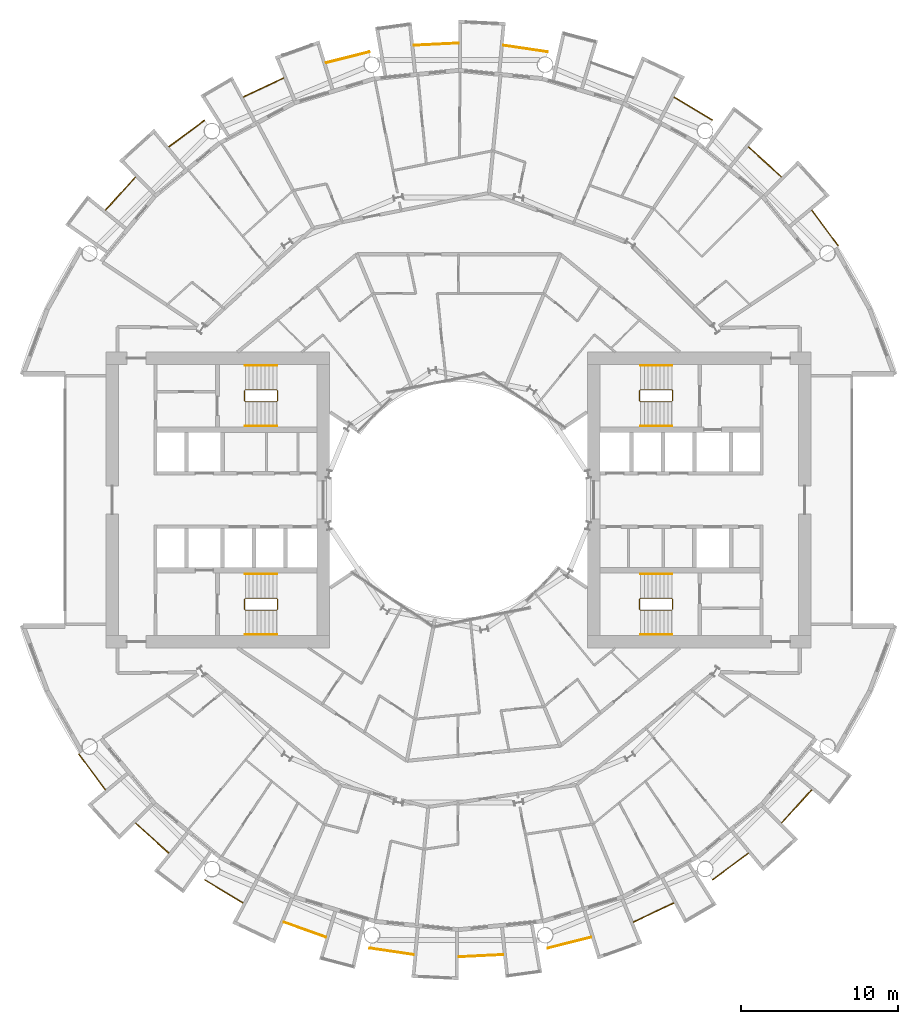
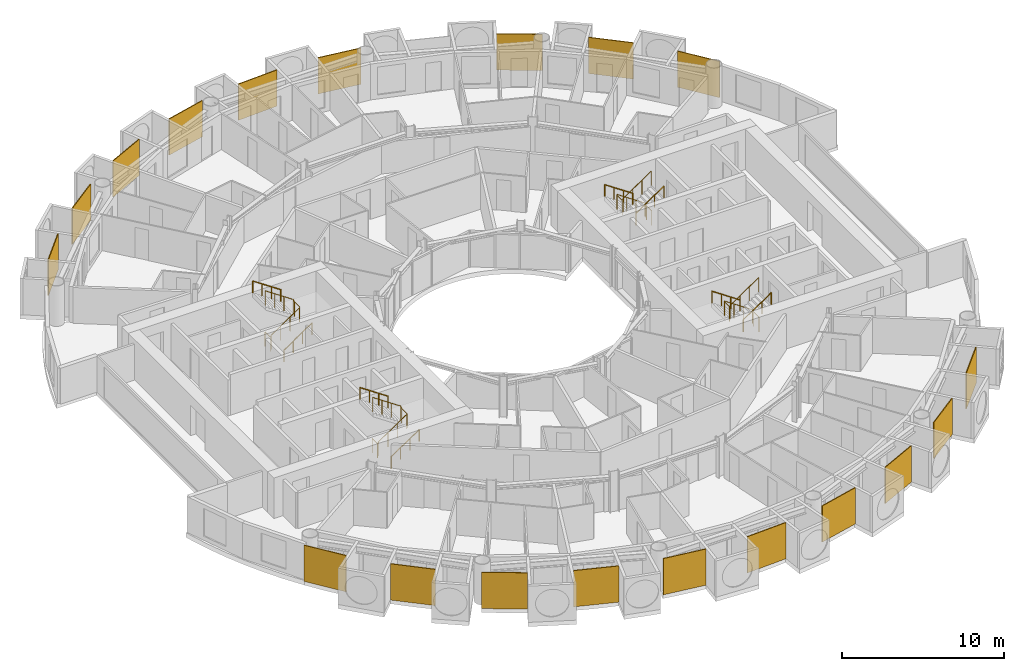
# One storey, part 25 of 26: 31 railings.
"""IFC4 building model written with IfcOpenShell, lengths in metres."""

from ifc_helpers import new_model, si_unit, direction, frame, origin, origin_2d, place, context, subcontext, project, spatial, polyline, circle, outline, extrude, material, layer, layer_set, type_object, element, save


model = new_model("IFC4")

# Units and contexts
model_context = context("Model", 3, precision=1e-05, world=origin(), true_north=direction((0.0, 1.0)))
body_context = subcontext(model_context, "Body", "Model", "MODEL_VIEW")
ifc_project = project(units=[si_unit("LENGTHUNIT", "METRE"), si_unit("AREAUNIT", "SQUARE_METRE"), si_unit("VOLUMEUNIT", "CUBIC_METRE"), si_unit("PLANEANGLEUNIT", "RADIAN"), si_unit("MASSUNIT", "GRAM", prefix="KILO")], contexts=[model_context])

# Site, building, storey
site_placement = place(None, origin())
site = spatial("IfcSite", under=ifc_project, at=site_placement, CompositionType="ELEMENT")
building_placement = place(site_placement, origin())
building = spatial("IfcBuilding", under=site, at=building_placement, Name="Maasbend Ring Residences", CompositionType="ELEMENT")
storey_placement = place(building_placement, frame((0.0, 0.0, 35.0)))
storey = spatial("IfcBuildingStorey", under=building, at=storey_placement, Name="L09", CompositionType="ELEMENT", Elevation=35.0)

# Railings
ifc_material_1 = material(Name="Pale anodised perforated aluminium", Category="aluminium")
ifc_layer = layer(ifc_material_1, 0.06005859375)
ifc_layer_set = layer_set([ifc_layer], Name="SCREEN-P")
railing_type_1 = type_object("IfcRailingType", Name="SCREEN-P", PredefinedType="GUARDRAIL", material=ifc_layer_set)
railing_1_placement = place(storey_placement, frame((0.0, 0.0, -0.030029296875)))
element("IfcRailing", 1, at=railing_1_placement, inside=storey, type_object=railing_type_1, Name="Perforated screen guard 1", PredefinedType="GUARDRAIL", context=body_context, shape_type="SweptSolid", body=[
    extrude(outline(polyline([(24.113037109375, 16.112060546875), (22.4169921875, 18.39697265625), (22.465087890625, 18.43310546875), (24.160888671875, 16.14697265625), (24.113037109375, 16.112060546875)])), origin(), (0.0, 0.0, 1.0), 2.72998046875),
])
railing_2_placement = place(storey_placement, frame((0.0, 0.0, -0.030029296875)))
element("IfcRailing", 2, at=railing_2_placement, inside=storey, type_object=railing_type_1, Name="Perforated screen guard 2", PredefinedType="GUARDRAIL", context=body_context, shape_type="SweptSolid", body=[
    extrude(outline(polyline([(20.506103515625, 20.506103515625), (18.39697265625, 22.4169921875), (18.43798828125, 22.4619140625), (20.5458984375, 20.551025390625), (20.506103515625, 20.506103515625)])), origin(), (0.0, 0.0, 1.0), 2.72998046875),
])
railing_3_placement = place(storey_placement, frame((0.0, 0.0, -0.030029296875)))
element("IfcRailing", 3, at=railing_3_placement, inside=storey, type_object=railing_type_1, Name="Perforated screen guard 3", PredefinedType="GUARDRAIL", context=body_context, shape_type="SweptSolid", body=[
    extrude(outline(polyline([(16.112060546875, 24.113037109375), (13.6708984375, 25.575927734375), (13.700927734375, 25.626953125), (16.14208984375, 24.1640625), (16.112060546875, 24.113037109375)])), origin(), (0.0, 0.0, 1.0), 2.72998046875),
])
railing_4_placement = place(storey_placement, frame((0.0, 0.0, -0.030029296875)))
element("IfcRailing", 4, at=railing_4_placement, inside=storey, type_object=railing_type_1, Name="Perforated screen guard 5", PredefinedType="GUARDRAIL", context=body_context, shape_type="SweptSolid", body=[
    extrude(outline(polyline([(5.657958984375, 28.443115234375), (2.842041015625, 28.860107421875), (2.85107421875, 28.919921875), (5.666015625, 28.501953125), (5.657958984375, 28.443115234375)])), origin(), (0.0, 0.0, 1.0), 2.72998046875),
])
railing_5_placement = place(storey_placement, frame((0.0, 0.0, -0.030029296875)))
element("IfcRailing", 5, at=railing_5_placement, inside=storey, type_object=railing_type_1, Name="Perforated screen guard 6", PredefinedType="GUARDRAIL", context=body_context, shape_type="SweptSolid", body=[
    extrude(outline(polyline([(0.0, 29.0), (-2.842041015625, 28.860107421875), (-2.844970703125, 28.919921875), (-0.0029296875, 29.06005859375), (0.0, 29.0)])), origin(), (0.0, 0.0, 1.0), 2.72998046875),
])
railing_6_placement = place(storey_placement, frame((0.0, 0.0, -0.030029296875)))
element("IfcRailing", 6, at=railing_6_placement, inside=storey, type_object=railing_type_1, Name="Perforated screen guard 7", PredefinedType="GUARDRAIL", context=body_context, shape_type="SweptSolid", body=[
    extrude(outline(polyline([(-5.657958984375, 28.443115234375), (-8.41796875, 27.7509765625), (-8.43310546875, 27.80908203125), (-5.672119140625, 28.5009765625), (-5.657958984375, 28.443115234375)])), origin(), (0.0, 0.0, 1.0), 2.72998046875),
])
railing_7_placement = place(storey_placement, frame((0.0, 0.0, -0.030029296875)))
element("IfcRailing", 7, at=railing_7_placement, inside=storey, type_object=railing_type_1, Name="Perforated screen guard 8", PredefinedType="GUARDRAIL", context=body_context, shape_type="SweptSolid", body=[
    extrude(outline(polyline([(-11.097900390625, 26.79296875), (-13.6708984375, 25.575927734375), (-13.696044921875, 25.6298828125), (-11.123046875, 26.846923828125), (-11.097900390625, 26.79296875)])), origin(), (0.0, 0.0, 1.0), 2.72998046875),
])
railing_8_placement = place(storey_placement, frame((0.0, 0.0, -0.030029296875)))
element("IfcRailing", 8, at=railing_8_placement, inside=storey, type_object=railing_type_1, Name="Perforated screen guard 9", PredefinedType="GUARDRAIL", context=body_context, shape_type="SweptSolid", body=[
    extrude(outline(polyline([(-16.112060546875, 24.113037109375), (-18.39697265625, 22.4169921875), (-18.43310546875, 22.465087890625), (-16.14697265625, 24.160888671875), (-16.112060546875, 24.113037109375)])), origin(), (0.0, 0.0, 1.0), 2.72998046875),
])
railing_9_placement = place(storey_placement, frame((0.0, 0.0, -0.030029296875)))
element("IfcRailing", 9, at=railing_9_placement, inside=storey, type_object=railing_type_1, Name="Perforated screen guard 10", PredefinedType="GUARDRAIL", context=body_context, shape_type="SweptSolid", body=[
    extrude(outline(polyline([(-20.506103515625, 20.506103515625), (-22.4169921875, 18.39697265625), (-22.4619140625, 18.43798828125), (-20.551025390625, 20.5458984375), (-20.506103515625, 20.506103515625)])), origin(), (0.0, 0.0, 1.0), 2.72998046875),
])
railing_10_placement = place(storey_placement, frame((0.0, 0.0, -0.030029296875)))
element("IfcRailing", 10, at=railing_10_placement, inside=storey, type_object=railing_type_1, Name="Perforated screen guard 1", PredefinedType="GUARDRAIL", context=body_context, shape_type="SweptSolid", body=[
    extrude(outline(polyline([(-24.113037109375, -16.112060546875), (-22.4169921875, -18.39697265625), (-22.465087890625, -18.43310546875), (-24.160888671875, -16.14697265625), (-24.113037109375, -16.112060546875)])), origin(), (0.0, 0.0, 1.0), 2.72998046875),
])
railing_11_placement = place(storey_placement, frame((0.0, 0.0, -0.030029296875)))
element("IfcRailing", 11, at=railing_11_placement, inside=storey, type_object=railing_type_1, Name="Perforated screen guard 2", PredefinedType="GUARDRAIL", context=body_context, shape_type="SweptSolid", body=[
    extrude(outline(polyline([(-20.506103515625, -20.506103515625), (-18.39697265625, -22.4169921875), (-18.43798828125, -22.4619140625), (-20.5458984375, -20.551025390625), (-20.506103515625, -20.506103515625)])), origin(), (0.0, 0.0, 1.0), 2.72998046875),
])
railing_12_placement = place(storey_placement, frame((0.0, 0.0, -0.030029296875)))
element("IfcRailing", 12, at=railing_12_placement, inside=storey, type_object=railing_type_1, Name="Perforated screen guard 3", PredefinedType="GUARDRAIL", context=body_context, shape_type="SweptSolid", body=[
    extrude(outline(polyline([(-16.112060546875, -24.113037109375), (-13.6708984375, -25.575927734375), (-13.700927734375, -25.626953125), (-16.14208984375, -24.1640625), (-16.112060546875, -24.113037109375)])), origin(), (0.0, 0.0, 1.0), 2.72998046875),
])
railing_13_placement = place(storey_placement, frame((0.0, 0.0, -0.030029296875)))
element("IfcRailing", 13, at=railing_13_placement, inside=storey, type_object=railing_type_1, Name="Perforated screen guard 4", PredefinedType="GUARDRAIL", context=body_context, shape_type="SweptSolid", body=[
    extrude(outline(polyline([(-11.097900390625, -26.79296875), (-8.41796875, -27.7509765625), (-8.43798828125, -27.80810546875), (-11.117919921875, -26.84912109375), (-11.097900390625, -26.79296875)])), origin(), (0.0, 0.0, 1.0), 2.72998046875),
])
railing_14_placement = place(storey_placement, frame((0.0, 0.0, -0.030029296875)))
element("IfcRailing", 14, at=railing_14_placement, inside=storey, type_object=railing_type_1, Name="Perforated screen guard 5", PredefinedType="GUARDRAIL", context=body_context, shape_type="SweptSolid", body=[
    extrude(outline(polyline([(-5.657958984375, -28.443115234375), (-2.842041015625, -28.860107421875), (-2.85107421875, -28.919921875), (-5.666015625, -28.501953125), (-5.657958984375, -28.443115234375)])), origin(), (0.0, 0.0, 1.0), 2.72998046875),
])
railing_15_placement = place(storey_placement, frame((0.0, 0.0, -0.030029296875)))
element("IfcRailing", 15, at=railing_15_placement, inside=storey, type_object=railing_type_1, Name="Perforated screen guard 6", PredefinedType="GUARDRAIL", context=body_context, shape_type="SweptSolid", body=[
    extrude(outline(polyline([(0.0, -29.0), (2.842041015625, -28.860107421875), (2.844970703125, -28.919921875), (0.0029296875, -29.06005859375), (0.0, -29.0)])), origin(), (0.0, 0.0, 1.0), 2.72998046875),
])
railing_16_placement = place(storey_placement, frame((0.0, 0.0, -0.030029296875)))
element("IfcRailing", 16, at=railing_16_placement, inside=storey, type_object=railing_type_1, Name="Perforated screen guard 7", PredefinedType="GUARDRAIL", context=body_context, shape_type="SweptSolid", body=[
    extrude(outline(polyline([(5.657958984375, -28.443115234375), (8.41796875, -27.7509765625), (8.43310546875, -27.80908203125), (5.672119140625, -28.5009765625), (5.657958984375, -28.443115234375)])), origin(), (0.0, 0.0, 1.0), 2.72998046875),
])
railing_17_placement = place(storey_placement, frame((0.0, 0.0, -0.030029296875)))
element("IfcRailing", 17, at=railing_17_placement, inside=storey, type_object=railing_type_1, Name="Perforated screen guard 8", PredefinedType="GUARDRAIL", context=body_context, shape_type="SweptSolid", body=[
    extrude(outline(polyline([(11.097900390625, -26.79296875), (13.6708984375, -25.575927734375), (13.696044921875, -25.6298828125), (11.123046875, -26.846923828125), (11.097900390625, -26.79296875)])), origin(), (0.0, 0.0, 1.0), 2.72998046875),
])
railing_18_placement = place(storey_placement, frame((0.0, 0.0, -0.030029296875)))
element("IfcRailing", 18, at=railing_18_placement, inside=storey, type_object=railing_type_1, Name="Perforated screen guard 9", PredefinedType="GUARDRAIL", context=body_context, shape_type="SweptSolid", body=[
    extrude(outline(polyline([(16.112060546875, -24.113037109375), (18.39697265625, -22.4169921875), (18.43310546875, -22.465087890625), (16.14697265625, -24.160888671875), (16.112060546875, -24.113037109375)])), origin(), (0.0, 0.0, 1.0), 2.72998046875),
])
railing_19_placement = place(storey_placement, frame((0.0, 0.0, -0.030029296875)))
element("IfcRailing", 19, at=railing_19_placement, inside=storey, type_object=railing_type_1, Name="Perforated screen guard 10", PredefinedType="GUARDRAIL", context=body_context, shape_type="SweptSolid", body=[
    extrude(outline(polyline([(20.506103515625, -20.506103515625), (22.4169921875, -18.39697265625), (22.4619140625, -18.43798828125), (20.551025390625, -20.5458984375), (20.506103515625, -20.506103515625)])), origin(), (0.0, 0.0, 1.0), 2.72998046875),
])
ifc_material_2 = material(Name="Stainless steel 316", Category="steel")
railing_type_2 = type_object("IfcRailingType", Name="STAIR GUARD 1100", PredefinedType="GUARDRAIL", material=ifc_material_2)
railing_20_placement = place(storey_placement, frame((13.60009765625, 6.300048828125, 0.0)))
element("IfcRailing", 20, at=railing_20_placement, inside=storey, type_object=railing_type_2, Name="L09 ST-E1 stair guard 1", PredefinedType="GUARDRAIL", context=body_context, shape_type="SweptSolid", body=[
    extrude(circle(Radius=0.02392578125, at=origin_2d()), frame((0.0, 0.0, 1.076171875), z_axis=(0.0, 1.0, 0.0), x_axis=(-1.0, 0.0, 0.0)), (0.0, 0.0, 1.0), 0.64990234375),
    extrude(circle(Radius=0.02392578125, at=origin_2d()), frame((0.0, 0.64990234375, 1.076171875), z_axis=(-0.272562526181, 0.272562526181, 0.92272386912), x_axis=(-0.707106781187, -0.707106781187, 0.0)), (0.0, 0.0, 1.0), 0.18359375),
    extrude(circle(Radius=0.02392578125, at=origin_2d()), frame((-0.050048828125, 0.699951171875, 1.24560546875), z_axis=(-0.827797584762, 0.0, 0.561026878735), x_axis=(0.0, -1.0, 0.0)), (0.0, 0.0, 1.0), 2.416015625),
    extrude(circle(Radius=0.02392578125, at=origin_2d()), frame((-2.050048828125, 0.699951171875, 2.60107421875), z_axis=(-0.707106781187, -0.707106781187, 0.0), x_axis=(0.707106781187, -0.707106781187, 0.0)), (0.0, 0.0, 1.0), 0.07080078125),
    extrude(circle(Radius=0.02392578125, at=origin_2d()), frame((-2.10009765625, 0.64990234375, 2.60107421875), z_axis=(0.0, -1.0, 0.0), x_axis=(1.0, 0.0, 0.0)), (0.0, 0.0, 1.0), 0.64990234375),
    extrude(circle(Radius=0.02392578125, at=origin_2d()), frame((-2.10009765625, 0.0, 2.60107421875), z_axis=(0.272562526181, -0.272562526181, 0.92272386912), x_axis=(0.707106781187, 0.707106781187, 0.0)), (0.0, 0.0, 1.0), 0.18359375),
    extrude(circle(Radius=0.02392578125, at=origin_2d()), frame((-2.050048828125, -0.050048828125, 2.7705078125), z_axis=(0.827750655447, 0.0, 0.561096116906), x_axis=(0.0, 1.0, 0.0)), (0.0, 0.0, 1.0), 2.416259765625),
    extrude(circle(Radius=0.02099609375, at=origin_2d()), origin(), (0.0, 0.0, 1.0), 1.052001953125),
    extrude(circle(Radius=0.02099609375, at=origin_2d()), frame((0.0, 0.64990234375, 0.0)), (0.0, 0.0, 1.0), 1.052001953125),
    extrude(circle(Radius=0.02099609375, at=origin_2d()), frame((-0.050048828125, 0.699951171875, 0.16943359375)), (0.0, 0.0, 1.0), 1.052001953125),
    extrude(circle(Radius=0.02099609375, at=origin_2d()), frame((-0.716796875, 0.699951171875, 0.621337890625)), (0.0, 0.0, 1.0), 1.052001953125),
    extrude(circle(Radius=0.02099609375, at=origin_2d()), frame((-1.38330078125, 0.699951171875, 1.072998046875)), (0.0, 0.0, 1.0), 1.052001953125),
    extrude(circle(Radius=0.02099609375, at=origin_2d()), frame((-2.050048828125, 0.699951171875, 1.52490234375)), (0.0, 0.0, 1.0), 1.052001953125),
    extrude(circle(Radius=0.02099609375, at=origin_2d()), frame((-2.10009765625, 0.64990234375, 1.52490234375)), (0.0, 0.0, 1.0), 1.052001953125),
    extrude(circle(Radius=0.02099609375, at=origin_2d()), frame((-2.10009765625, 0.0, 1.52490234375)), (0.0, 0.0, 1.0), 1.052001953125),
    extrude(circle(Radius=0.02099609375, at=origin_2d()), frame((-2.050048828125, -0.050048828125, 1.6943359375)), (0.0, 0.0, 1.0), 1.052001953125),
    extrude(circle(Radius=0.02099609375, at=origin_2d()), frame((-1.38330078125, -0.050048828125, 2.146240234375)), (0.0, 0.0, 1.0), 1.052001953125),
    extrude(circle(Radius=0.02099609375, at=origin_2d()), frame((-0.716796875, -0.050048828125, 2.59814453125)), (0.0, 0.0, 1.0), 1.052001953125),
    extrude(circle(Radius=0.02099609375, at=origin_2d()), frame((-0.050048828125, -0.050048828125, 3.050048828125)), (0.0, 0.0, 1.0), 1.052001953125),
])
railing_21_placement = place(storey_placement, frame((13.60009765625, -6.949951171875, 0.0)))
element("IfcRailing", 21, at=railing_21_placement, inside=storey, type_object=railing_type_2, Name="L09 ST-E2 stair guard 1", PredefinedType="GUARDRAIL", context=body_context, shape_type="SweptSolid", body=[
    extrude(circle(Radius=0.02392578125, at=origin_2d()), frame((0.0, 0.0, 1.076171875), z_axis=(0.0, 1.0, 0.0), x_axis=(-1.0, 0.0, 0.0)), (0.0, 0.0, 1.0), 0.64990234375),
    extrude(circle(Radius=0.02392578125, at=origin_2d()), frame((0.0, 0.64990234375, 1.076171875), z_axis=(-0.272562526181, 0.272562526181, 0.92272386912), x_axis=(-0.707106781187, -0.707106781187, 0.0)), (0.0, 0.0, 1.0), 0.18359375),
    extrude(circle(Radius=0.02392578125, at=origin_2d()), frame((-0.050048828125, 0.699951171875, 1.24560546875), z_axis=(-0.827797584762, 0.0, 0.561026878735), x_axis=(0.0, -1.0, 0.0)), (0.0, 0.0, 1.0), 2.416015625),
    extrude(circle(Radius=0.02392578125, at=origin_2d()), frame((-2.050048828125, 0.699951171875, 2.60107421875), z_axis=(-0.707106781187, -0.707106781187, 0.0), x_axis=(0.707106781187, -0.707106781187, 0.0)), (0.0, 0.0, 1.0), 0.07080078125),
    extrude(circle(Radius=0.02392578125, at=origin_2d()), frame((-2.10009765625, 0.64990234375, 2.60107421875), z_axis=(0.0, -1.0, 0.0), x_axis=(1.0, 0.0, 0.0)), (0.0, 0.0, 1.0), 0.64990234375),
    extrude(circle(Radius=0.02392578125, at=origin_2d()), frame((-2.10009765625, 0.0, 2.60107421875), z_axis=(0.272562526181, -0.272562526181, 0.92272386912), x_axis=(0.707106781187, 0.707106781187, 0.0)), (0.0, 0.0, 1.0), 0.18359375),
    extrude(circle(Radius=0.02392578125, at=origin_2d()), frame((-2.050048828125, -0.050048828125, 2.7705078125), z_axis=(0.827750655447, 0.0, 0.561096116906), x_axis=(0.0, 1.0, 0.0)), (0.0, 0.0, 1.0), 2.416259765625),
    extrude(circle(Radius=0.02099609375, at=origin_2d()), origin(), (0.0, 0.0, 1.0), 1.052001953125),
    extrude(circle(Radius=0.02099609375, at=origin_2d()), frame((0.0, 0.64990234375, 0.0)), (0.0, 0.0, 1.0), 1.052001953125),
    extrude(circle(Radius=0.02099609375, at=origin_2d()), frame((-0.050048828125, 0.699951171875, 0.16943359375)), (0.0, 0.0, 1.0), 1.052001953125),
    extrude(circle(Radius=0.02099609375, at=origin_2d()), frame((-0.716796875, 0.699951171875, 0.621337890625)), (0.0, 0.0, 1.0), 1.052001953125),
    extrude(circle(Radius=0.02099609375, at=origin_2d()), frame((-1.38330078125, 0.699951171875, 1.072998046875)), (0.0, 0.0, 1.0), 1.052001953125),
    extrude(circle(Radius=0.02099609375, at=origin_2d()), frame((-2.050048828125, 0.699951171875, 1.52490234375)), (0.0, 0.0, 1.0), 1.052001953125),
    extrude(circle(Radius=0.02099609375, at=origin_2d()), frame((-2.10009765625, 0.64990234375, 1.52490234375)), (0.0, 0.0, 1.0), 1.052001953125),
    extrude(circle(Radius=0.02099609375, at=origin_2d()), frame((-2.10009765625, 0.0, 1.52490234375)), (0.0, 0.0, 1.0), 1.052001953125),
    extrude(circle(Radius=0.02099609375, at=origin_2d()), frame((-2.050048828125, -0.050048828125, 1.6943359375)), (0.0, 0.0, 1.0), 1.052001953125),
    extrude(circle(Radius=0.02099609375, at=origin_2d()), frame((-1.38330078125, -0.050048828125, 2.146240234375)), (0.0, 0.0, 1.0), 1.052001953125),
    extrude(circle(Radius=0.02099609375, at=origin_2d()), frame((-0.716796875, -0.050048828125, 2.59814453125)), (0.0, 0.0, 1.0), 1.052001953125),
    extrude(circle(Radius=0.02099609375, at=origin_2d()), frame((-0.050048828125, -0.050048828125, 3.050048828125)), (0.0, 0.0, 1.0), 1.052001953125),
])
railing_22_placement = place(storey_placement, frame((-13.60009765625, -6.300048828125, 0.0)))
element("IfcRailing", 22, at=railing_22_placement, inside=storey, type_object=railing_type_2, Name="L09 ST-W1 stair guard 1", PredefinedType="GUARDRAIL", context=body_context, shape_type="SweptSolid", body=[
    extrude(circle(Radius=0.02392578125, at=origin_2d()), frame((0.0, 0.0, 1.076171875), z_axis=(0.0, -1.0, 0.0), x_axis=(1.0, 0.0, 0.0)), (0.0, 0.0, 1.0), 0.64990234375),
    extrude(circle(Radius=0.02392578125, at=origin_2d()), frame((0.0, -0.64990234375, 1.076171875), z_axis=(0.272562526181, -0.272562526181, 0.92272386912), x_axis=(0.707106781187, 0.707106781187, 0.0)), (0.0, 0.0, 1.0), 0.18359375),
    extrude(circle(Radius=0.02392578125, at=origin_2d()), frame((0.050048828125, -0.699951171875, 1.24560546875), z_axis=(0.827797584762, 0.0, 0.561026878735), x_axis=(0.0, 1.0, 0.0)), (0.0, 0.0, 1.0), 2.416015625),
    extrude(circle(Radius=0.02392578125, at=origin_2d()), frame((2.050048828125, -0.699951171875, 2.60107421875), z_axis=(0.707106781187, 0.707106781187, 0.0), x_axis=(-0.707106781187, 0.707106781187, 0.0)), (0.0, 0.0, 1.0), 0.07080078125),
    extrude(circle(Radius=0.02392578125, at=origin_2d()), frame((2.10009765625, -0.64990234375, 2.60107421875), z_axis=(0.0, 1.0, 0.0), x_axis=(-1.0, 0.0, 0.0)), (0.0, 0.0, 1.0), 0.64990234375),
    extrude(circle(Radius=0.02392578125, at=origin_2d()), frame((2.10009765625, 0.0, 2.60107421875), z_axis=(-0.272562526181, 0.272562526181, 0.92272386912), x_axis=(-0.707106781187, -0.707106781187, 0.0)), (0.0, 0.0, 1.0), 0.18359375),
    extrude(circle(Radius=0.02392578125, at=origin_2d()), frame((2.050048828125, 0.050048828125, 2.7705078125), z_axis=(-0.827750655447, 0.0, 0.561096116906), x_axis=(0.0, -1.0, 0.0)), (0.0, 0.0, 1.0), 2.416259765625),
    extrude(circle(Radius=0.02099609375, at=origin_2d()), origin(), (0.0, 0.0, 1.0), 1.052001953125),
    extrude(circle(Radius=0.02099609375, at=origin_2d()), frame((0.0, -0.64990234375, 0.0)), (0.0, 0.0, 1.0), 1.052001953125),
    extrude(circle(Radius=0.02099609375, at=origin_2d()), frame((0.050048828125, -0.699951171875, 0.16943359375)), (0.0, 0.0, 1.0), 1.052001953125),
    extrude(circle(Radius=0.02099609375, at=origin_2d()), frame((0.716796875, -0.699951171875, 0.621337890625)), (0.0, 0.0, 1.0), 1.052001953125),
    extrude(circle(Radius=0.02099609375, at=origin_2d()), frame((1.38330078125, -0.699951171875, 1.072998046875)), (0.0, 0.0, 1.0), 1.052001953125),
    extrude(circle(Radius=0.02099609375, at=origin_2d()), frame((2.050048828125, -0.699951171875, 1.52490234375)), (0.0, 0.0, 1.0), 1.052001953125),
    extrude(circle(Radius=0.02099609375, at=origin_2d()), frame((2.10009765625, -0.64990234375, 1.52490234375)), (0.0, 0.0, 1.0), 1.052001953125),
    extrude(circle(Radius=0.02099609375, at=origin_2d()), frame((2.10009765625, 0.0, 1.52490234375)), (0.0, 0.0, 1.0), 1.052001953125),
    extrude(circle(Radius=0.02099609375, at=origin_2d()), frame((2.050048828125, 0.050048828125, 1.6943359375)), (0.0, 0.0, 1.0), 1.052001953125),
    extrude(circle(Radius=0.02099609375, at=origin_2d()), frame((1.38330078125, 0.050048828125, 2.146240234375)), (0.0, 0.0, 1.0), 1.052001953125),
    extrude(circle(Radius=0.02099609375, at=origin_2d()), frame((0.716796875, 0.050048828125, 2.59814453125)), (0.0, 0.0, 1.0), 1.052001953125),
    extrude(circle(Radius=0.02099609375, at=origin_2d()), frame((0.050048828125, 0.050048828125, 3.050048828125)), (0.0, 0.0, 1.0), 1.052001953125),
])
railing_23_placement = place(storey_placement, frame((-13.60009765625, 6.949951171875, 0.0)))
element("IfcRailing", 23, at=railing_23_placement, inside=storey, type_object=railing_type_2, Name="L09 ST-W2 stair guard 1", PredefinedType="GUARDRAIL", context=body_context, shape_type="SweptSolid", body=[
    extrude(circle(Radius=0.02392578125, at=origin_2d()), frame((0.0, 0.0, 1.076171875), z_axis=(0.0, -1.0, 0.0), x_axis=(1.0, 0.0, 0.0)), (0.0, 0.0, 1.0), 0.64990234375),
    extrude(circle(Radius=0.02392578125, at=origin_2d()), frame((0.0, -0.64990234375, 1.076171875), z_axis=(0.272562526181, -0.272562526181, 0.92272386912), x_axis=(0.707106781187, 0.707106781187, 0.0)), (0.0, 0.0, 1.0), 0.18359375),
    extrude(circle(Radius=0.02392578125, at=origin_2d()), frame((0.050048828125, -0.699951171875, 1.24560546875), z_axis=(0.827797584762, 0.0, 0.561026878735), x_axis=(0.0, 1.0, 0.0)), (0.0, 0.0, 1.0), 2.416015625),
    extrude(circle(Radius=0.02392578125, at=origin_2d()), frame((2.050048828125, -0.699951171875, 2.60107421875), z_axis=(0.707106781187, 0.707106781187, 0.0), x_axis=(-0.707106781187, 0.707106781187, 0.0)), (0.0, 0.0, 1.0), 0.07080078125),
    extrude(circle(Radius=0.02392578125, at=origin_2d()), frame((2.10009765625, -0.64990234375, 2.60107421875), z_axis=(0.0, 1.0, 0.0), x_axis=(-1.0, 0.0, 0.0)), (0.0, 0.0, 1.0), 0.64990234375),
    extrude(circle(Radius=0.02392578125, at=origin_2d()), frame((2.10009765625, 0.0, 2.60107421875), z_axis=(-0.272562526181, 0.272562526181, 0.92272386912), x_axis=(-0.707106781187, -0.707106781187, 0.0)), (0.0, 0.0, 1.0), 0.18359375),
    extrude(circle(Radius=0.02392578125, at=origin_2d()), frame((2.050048828125, 0.050048828125, 2.7705078125), z_axis=(-0.827750655447, 0.0, 0.561096116906), x_axis=(0.0, -1.0, 0.0)), (0.0, 0.0, 1.0), 2.416259765625),
    extrude(circle(Radius=0.02099609375, at=origin_2d()), origin(), (0.0, 0.0, 1.0), 1.052001953125),
    extrude(circle(Radius=0.02099609375, at=origin_2d()), frame((0.0, -0.64990234375, 0.0)), (0.0, 0.0, 1.0), 1.052001953125),
    extrude(circle(Radius=0.02099609375, at=origin_2d()), frame((0.050048828125, -0.699951171875, 0.16943359375)), (0.0, 0.0, 1.0), 1.052001953125),
    extrude(circle(Radius=0.02099609375, at=origin_2d()), frame((0.716796875, -0.699951171875, 0.621337890625)), (0.0, 0.0, 1.0), 1.052001953125),
    extrude(circle(Radius=0.02099609375, at=origin_2d()), frame((1.38330078125, -0.699951171875, 1.072998046875)), (0.0, 0.0, 1.0), 1.052001953125),
    extrude(circle(Radius=0.02099609375, at=origin_2d()), frame((2.050048828125, -0.699951171875, 1.52490234375)), (0.0, 0.0, 1.0), 1.052001953125),
    extrude(circle(Radius=0.02099609375, at=origin_2d()), frame((2.10009765625, -0.64990234375, 1.52490234375)), (0.0, 0.0, 1.0), 1.052001953125),
    extrude(circle(Radius=0.02099609375, at=origin_2d()), frame((2.10009765625, 0.0, 1.52490234375)), (0.0, 0.0, 1.0), 1.052001953125),
    extrude(circle(Radius=0.02099609375, at=origin_2d()), frame((2.050048828125, 0.050048828125, 1.6943359375)), (0.0, 0.0, 1.0), 1.052001953125),
    extrude(circle(Radius=0.02099609375, at=origin_2d()), frame((1.38330078125, 0.050048828125, 2.146240234375)), (0.0, 0.0, 1.0), 1.052001953125),
    extrude(circle(Radius=0.02099609375, at=origin_2d()), frame((0.716796875, 0.050048828125, 2.59814453125)), (0.0, 0.0, 1.0), 1.052001953125),
    extrude(circle(Radius=0.02099609375, at=origin_2d()), frame((0.050048828125, 0.050048828125, 3.050048828125)), (0.0, 0.0, 1.0), 1.052001953125),
])
ifc_material_3 = material(Name="Stainless steel 316", Category="steel")
railing_type_3 = type_object("IfcRailingType", Name="STAIR HANDRAIL 900", PredefinedType="HANDRAIL", material=ifc_material_3)
railing_24_placement = place(storey_placement, frame((13.550048828125, 8.550048828125, 0.16943359375)))
element("IfcRailing", 24, at=railing_24_placement, inside=storey, type_object=railing_type_3, Name="L09 ST-E1 stair handrail 1", PredefinedType="HANDRAIL", context=body_context, shape_type="SweptSolid", body=[
    extrude(circle(Radius=0.02392578125, at=origin_2d()), frame((0.0, 0.0, 0.8759765625), z_axis=(-0.827797584762, 0.0, 0.561026878735), x_axis=(0.0, -1.0, 0.0)), (0.0, 0.0, 1.0), 2.416015625),
    extrude(circle(Radius=0.02099609375, at=origin_2d()), origin(), (0.0, 0.0, 1.0), 0.851806640625),
    extrude(circle(Radius=0.02099609375, at=origin_2d()), frame((-0.666748046875, 0.0, 0.451904296875)), (0.0, 0.0, 1.0), 0.851806640625),
    extrude(circle(Radius=0.02099609375, at=origin_2d()), frame((-1.333251953125, 0.0, 0.903564453125)), (0.0, 0.0, 1.0), 0.851806640625),
    extrude(circle(Radius=0.02099609375, at=origin_2d()), frame((-2.0, 0.0, 1.35546875)), (0.0, 0.0, 1.0), 0.851806640625),
])
railing_25_placement = place(storey_placement, frame((11.550048828125, 4.699951171875, 1.6943359375)))
element("IfcRailing", 25, at=railing_25_placement, inside=storey, type_object=railing_type_3, Name="L09 ST-E1 stair handrail 2", PredefinedType="HANDRAIL", context=body_context, shape_type="SweptSolid", body=[
    extrude(circle(Radius=0.02392578125, at=origin_2d()), frame((0.0, 0.0, 0.8759765625), z_axis=(0.827750655447, 0.0, 0.561096116906), x_axis=(0.0, 1.0, 0.0)), (0.0, 0.0, 1.0), 2.416259765625),
    extrude(circle(Radius=0.02099609375, at=origin_2d()), origin(), (0.0, 0.0, 1.0), 0.851806640625),
    extrude(circle(Radius=0.02099609375, at=origin_2d()), frame((0.666748046875, 0.0, 0.451904296875)), (0.0, 0.0, 1.0), 0.851806640625),
    extrude(circle(Radius=0.02099609375, at=origin_2d()), frame((1.333251953125, 0.0, 0.90380859375)), (0.0, 0.0, 1.0), 0.851806640625),
    extrude(circle(Radius=0.02099609375, at=origin_2d()), frame((2.0, 0.0, 1.355712890625)), (0.0, 0.0, 1.0), 0.851806640625),
])
railing_26_placement = place(storey_placement, frame((13.550048828125, -4.699951171875, 0.16943359375)))
element("IfcRailing", 26, at=railing_26_placement, inside=storey, type_object=railing_type_3, Name="L09 ST-E2 stair handrail 1", PredefinedType="HANDRAIL", context=body_context, shape_type="SweptSolid", body=[
    extrude(circle(Radius=0.02392578125, at=origin_2d()), frame((0.0, 0.0, 0.8759765625), z_axis=(-0.827797584762, 0.0, 0.561026878735), x_axis=(0.0, -1.0, 0.0)), (0.0, 0.0, 1.0), 2.416015625),
    extrude(circle(Radius=0.02099609375, at=origin_2d()), origin(), (0.0, 0.0, 1.0), 0.851806640625),
    extrude(circle(Radius=0.02099609375, at=origin_2d()), frame((-0.666748046875, 0.0, 0.451904296875)), (0.0, 0.0, 1.0), 0.851806640625),
    extrude(circle(Radius=0.02099609375, at=origin_2d()), frame((-1.333251953125, 0.0, 0.903564453125)), (0.0, 0.0, 1.0), 0.851806640625),
    extrude(circle(Radius=0.02099609375, at=origin_2d()), frame((-2.0, 0.0, 1.35546875)), (0.0, 0.0, 1.0), 0.851806640625),
])
railing_27_placement = place(storey_placement, frame((11.550048828125, -8.550048828125, 1.6943359375)))
element("IfcRailing", 27, at=railing_27_placement, inside=storey, type_object=railing_type_3, Name="L09 ST-E2 stair handrail 2", PredefinedType="HANDRAIL", context=body_context, shape_type="SweptSolid", body=[
    extrude(circle(Radius=0.02392578125, at=origin_2d()), frame((0.0, 0.0, 0.8759765625), z_axis=(0.827750655447, 0.0, 0.561096116906), x_axis=(0.0, 1.0, 0.0)), (0.0, 0.0, 1.0), 2.416259765625),
    extrude(circle(Radius=0.02099609375, at=origin_2d()), origin(), (0.0, 0.0, 1.0), 0.851806640625),
    extrude(circle(Radius=0.02099609375, at=origin_2d()), frame((0.666748046875, 0.0, 0.451904296875)), (0.0, 0.0, 1.0), 0.851806640625),
    extrude(circle(Radius=0.02099609375, at=origin_2d()), frame((1.333251953125, 0.0, 0.90380859375)), (0.0, 0.0, 1.0), 0.851806640625),
    extrude(circle(Radius=0.02099609375, at=origin_2d()), frame((2.0, 0.0, 1.355712890625)), (0.0, 0.0, 1.0), 0.851806640625),
])
railing_28_placement = place(storey_placement, frame((-13.550048828125, -8.550048828125, 0.16943359375)))
element("IfcRailing", 28, at=railing_28_placement, inside=storey, type_object=railing_type_3, Name="L09 ST-W1 stair handrail 1", PredefinedType="HANDRAIL", context=body_context, shape_type="SweptSolid", body=[
    extrude(circle(Radius=0.02392578125, at=origin_2d()), frame((0.0, 0.0, 0.8759765625), z_axis=(0.827797584762, 0.0, 0.561026878735), x_axis=(0.0, 1.0, 0.0)), (0.0, 0.0, 1.0), 2.416015625),
    extrude(circle(Radius=0.02099609375, at=origin_2d()), origin(), (0.0, 0.0, 1.0), 0.851806640625),
    extrude(circle(Radius=0.02099609375, at=origin_2d()), frame((0.666748046875, 0.0, 0.451904296875)), (0.0, 0.0, 1.0), 0.851806640625),
    extrude(circle(Radius=0.02099609375, at=origin_2d()), frame((1.333251953125, 0.0, 0.903564453125)), (0.0, 0.0, 1.0), 0.851806640625),
    extrude(circle(Radius=0.02099609375, at=origin_2d()), frame((2.0, 0.0, 1.35546875)), (0.0, 0.0, 1.0), 0.851806640625),
])
railing_29_placement = place(storey_placement, frame((-11.550048828125, -4.699951171875, 1.6943359375)))
element("IfcRailing", 29, at=railing_29_placement, inside=storey, type_object=railing_type_3, Name="L09 ST-W1 stair handrail 2", PredefinedType="HANDRAIL", context=body_context, shape_type="SweptSolid", body=[
    extrude(circle(Radius=0.02392578125, at=origin_2d()), frame((0.0, 0.0, 0.8759765625), z_axis=(-0.827750655447, 0.0, 0.561096116906), x_axis=(0.0, -1.0, 0.0)), (0.0, 0.0, 1.0), 2.416259765625),
    extrude(circle(Radius=0.02099609375, at=origin_2d()), origin(), (0.0, 0.0, 1.0), 0.851806640625),
    extrude(circle(Radius=0.02099609375, at=origin_2d()), frame((-0.666748046875, 0.0, 0.451904296875)), (0.0, 0.0, 1.0), 0.851806640625),
    extrude(circle(Radius=0.02099609375, at=origin_2d()), frame((-1.333251953125, 0.0, 0.90380859375)), (0.0, 0.0, 1.0), 0.851806640625),
    extrude(circle(Radius=0.02099609375, at=origin_2d()), frame((-2.0, 0.0, 1.355712890625)), (0.0, 0.0, 1.0), 0.851806640625),
])
railing_30_placement = place(storey_placement, frame((-13.550048828125, 4.699951171875, 0.16943359375)))
element("IfcRailing", 30, at=railing_30_placement, inside=storey, type_object=railing_type_3, Name="L09 ST-W2 stair handrail 1", PredefinedType="HANDRAIL", context=body_context, shape_type="SweptSolid", body=[
    extrude(circle(Radius=0.02392578125, at=origin_2d()), frame((0.0, 0.0, 0.8759765625), z_axis=(0.827797584762, 0.0, 0.561026878735), x_axis=(0.0, 1.0, 0.0)), (0.0, 0.0, 1.0), 2.416015625),
    extrude(circle(Radius=0.02099609375, at=origin_2d()), origin(), (0.0, 0.0, 1.0), 0.851806640625),
    extrude(circle(Radius=0.02099609375, at=origin_2d()), frame((0.666748046875, 0.0, 0.451904296875)), (0.0, 0.0, 1.0), 0.851806640625),
    extrude(circle(Radius=0.02099609375, at=origin_2d()), frame((1.333251953125, 0.0, 0.903564453125)), (0.0, 0.0, 1.0), 0.851806640625),
    extrude(circle(Radius=0.02099609375, at=origin_2d()), frame((2.0, 0.0, 1.35546875)), (0.0, 0.0, 1.0), 0.851806640625),
])
railing_31_placement = place(storey_placement, frame((-11.550048828125, 8.550048828125, 1.6943359375)))
element("IfcRailing", 31, at=railing_31_placement, inside=storey, type_object=railing_type_3, Name="L09 ST-W2 stair handrail 2", PredefinedType="HANDRAIL", context=body_context, shape_type="SweptSolid", body=[
    extrude(circle(Radius=0.02392578125, at=origin_2d()), frame((0.0, 0.0, 0.8759765625), z_axis=(-0.827750655447, 0.0, 0.561096116906), x_axis=(0.0, -1.0, 0.0)), (0.0, 0.0, 1.0), 2.416259765625),
    extrude(circle(Radius=0.02099609375, at=origin_2d()), origin(), (0.0, 0.0, 1.0), 0.851806640625),
    extrude(circle(Radius=0.02099609375, at=origin_2d()), frame((-0.666748046875, 0.0, 0.451904296875)), (0.0, 0.0, 1.0), 0.851806640625),
    extrude(circle(Radius=0.02099609375, at=origin_2d()), frame((-1.333251953125, 0.0, 0.90380859375)), (0.0, 0.0, 1.0), 0.851806640625),
    extrude(circle(Radius=0.02099609375, at=origin_2d()), frame((-2.0, 0.0, 1.355712890625)), (0.0, 0.0, 1.0), 0.851806640625),
])

save(model, "model.ifc")
